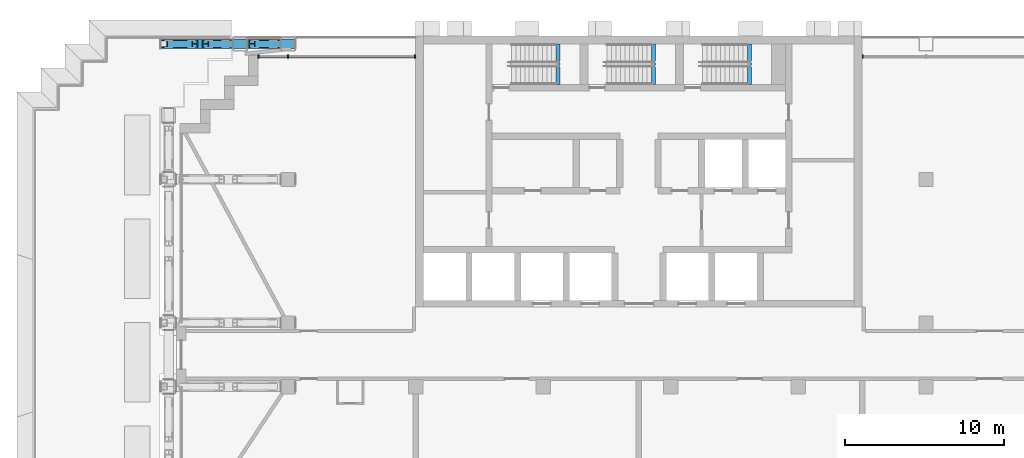
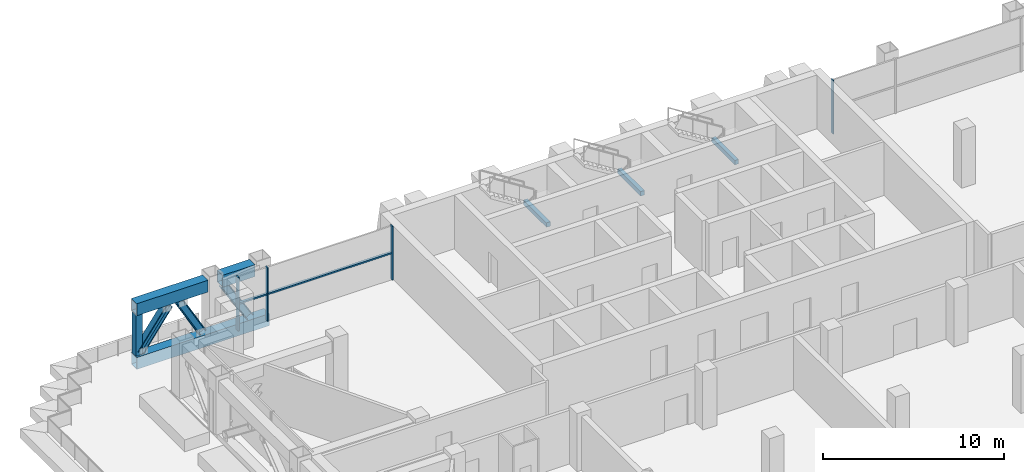
# One storey, part 4 of 19: 13 members, 3 beams, 2 elements without a shape of their own.
"""IFC4 building model written with IfcOpenShell, lengths in metres."""

from ifc_helpers import new_model, si_unit, direction, frame, origin, origin_2d, place, context, subcontext, project, spatial, rectangle, hollow_rectangle, i_section, extrude, material, material_profile, profile_set, type_object, element, aggregate, save


model = new_model("IFC4")

# Units and contexts
model_context = context("Model", 3, precision=1e-05, world=origin(), true_north=direction((0.0, 1.0)))
body_context = subcontext(model_context, "Body", "Model", "MODEL_VIEW")
ifc_project = project(units=[si_unit("LENGTHUNIT", "METRE"), si_unit("AREAUNIT", "SQUARE_METRE"), si_unit("VOLUMEUNIT", "CUBIC_METRE"), si_unit("PLANEANGLEUNIT", "RADIAN"), si_unit("MASSUNIT", "GRAM", prefix="KILO")], contexts=[model_context])

# Site, building, storey
site_placement = place(None, origin())
site = spatial("IfcSite", under=ifc_project, at=site_placement, CompositionType="ELEMENT")
building_placement = place(site_placement, origin())
building = spatial("IfcBuilding", under=site, at=building_placement, Name="Vidyagriha Tower", CompositionType="ELEMENT")
storey_placement = place(building_placement, frame((0.0, 0.0, 73.60009765625)))
storey = spatial("IfcBuildingStorey", under=building, at=storey_placement, Name="L18", CompositionType="ELEMENT", Elevation=73.60009765625)

# Curtain wall, member
ifc_material_1 = material(Name="Aluminium and glass curtain wall", Category="aluminium")
curtain_wall_type = type_object("IfcCurtainWallType", Name="Plant louvre wall", PredefinedType="USERDEFINED", material=ifc_material_1)
curtain_wall_1_placement = place(storey_placement, origin())
curtain_wall_1 = element("IfcCurtainWall", 1, at=curtain_wall_1_placement, inside=storey, type_object=curtain_wall_type, Name="CW7 plant louvre wall", ObjectType="STICK GLAZING", PredefinedType="USERDEFINED")
ifc_material_2 = material(Name="Aluminium black anodised", Category="aluminium")
ifc_material_profile_1 = material_profile(ifc_material_2, rectangle(XDim=0.219970703125, YDim=0.080078125, at=origin_2d()), Name="Mullion 80x220 black aluminium")
ifc_profile_set_1 = profile_set([ifc_material_profile_1], Name="Aluminium black anodised")
member_type_1 = type_object("IfcMemberType", Name="Mullion 80x220 black aluminium", PredefinedType="MULLION", material=ifc_profile_set_1)
member_1_placement = place(storey_placement, frame((14.0400390625, 18.699951171875, 0.0), z_axis=(0.0, 0.0, 1.0), x_axis=(0.0, -1.0, 0.0)))
member_1 = element("IfcMember", 2, at=member_1_placement, type_object=member_type_1, Name="CW7 mullion 5", PredefinedType="MULLION", context=body_context, shape_type="SweptSolid", body=[
    extrude(rectangle(XDim=0.219970703125, YDim=0.080078125, at=origin_2d()), origin(), (0.0, 0.0, 1.0), 3.619873046875),
])
aggregate(curtain_wall_1, [member_1])

# Curtain wall, members
curtain_wall_2_placement = place(storey_placement, origin())
curtain_wall_2 = element("IfcCurtainWall", 3, at=curtain_wall_2_placement, inside=storey, type_object=curtain_wall_type, Name="CW7 plant louvre wall", ObjectType="STICK GLAZING", PredefinedType="USERDEFINED")
member_2_placement = place(storey_placement, frame((-14.0400390625, 18.699951171875, 0.0), z_axis=(0.0, 0.0, 1.0), x_axis=(0.0, -1.0, 0.0)))
member_2 = element("IfcMember", 4, at=member_2_placement, type_object=member_type_1, Name="CW7 mullion 1", PredefinedType="MULLION", context=body_context, shape_type="SweptSolid", body=[
    extrude(rectangle(XDim=0.219970703125, YDim=0.080078125, at=origin_2d()), origin(), (0.0, 0.0, 1.0), 3.619873046875),
])
member_3_placement = place(storey_placement, frame((-22.0, 18.699951171875, 0.0), z_axis=(0.0, 0.0, 1.0), x_axis=(0.0, -1.0, 0.0)))
member_3 = element("IfcMember", 5, at=member_3_placement, type_object=member_type_1, Name="CW7 mullion 2", PredefinedType="MULLION", context=body_context, shape_type="SweptSolid", body=[
    extrude(rectangle(XDim=0.219970703125, YDim=0.080078125, at=origin_2d()), origin(), (0.0, 0.0, 1.0), 3.619873046875),
])
member_4_placement = place(storey_placement, frame((-23.860107421875, 18.699951171875, 0.0), z_axis=(0.0, 0.0, 1.0), x_axis=(0.0, -1.0, 0.0)))
member_4 = element("IfcMember", 6, at=member_4_placement, type_object=member_type_1, Name="CW7 mullion 3", PredefinedType="MULLION", context=body_context, shape_type="SweptSolid", body=[
    extrude(rectangle(XDim=0.219970703125, YDim=0.080078125, at=origin_2d()), origin(), (0.0, 0.0, 1.0), 3.619873046875),
])

# Beams
ifc_material_3 = material(Name="Concrete C40/50", Category="concrete")
ifc_material_profile_2 = material_profile(ifc_material_3, rectangle(XDim=0.25, YDim=0.300048828125, at=origin_2d()), Name="Stair landing bearing beam 250x300")
ifc_profile_set_2 = profile_set([ifc_material_profile_2], Name="Concrete C40/50")
beam_type = type_object("IfcBeamType", Name="Stair landing bearing beam 250x300", PredefinedType="BEAM", material=ifc_profile_set_2)
for number, where, z_axis, x_axis, name in (
    (7, (-5.074951171875, 16.949951171875, 1.599853515625), (0.0, 1.0, 0.0), (-1.0, 0.0, 0.0), "ST1 landing bearing beam L18"),
    (8, (0.925048828125, 16.949951171875, 1.599853515625), (0.0, 1.0, 0.0), (-1.0, 0.0, 0.0), "ST2 landing bearing beam L18"),
    (9, (6.925048828125, 16.949951171875, 1.599853515625), (0.0, 1.0, 0.0), (-1.0, 0.0, 0.0), "ST3 landing bearing beam L18"),
):
    element("IfcBeam", number, at=place(storey_placement, frame(where, z_axis=z_axis, x_axis=x_axis)), inside=storey, type_object=beam_type, Name=name, PredefinedType="BEAM", context=body_context, shape_type="SweptSolid", body=[
        extrude(rectangle(XDim=0.25, YDim=0.300048828125, at=origin_2d()), origin(), (0.0, 0.0, 1.0), 2.550048828125),
    ])

# Members
ifc_material_4 = material(Name="Steel ASTM A572 Grade 50", Category="steel")
ifc_material_profile_3 = material_profile(ifc_material_4, hollow_rectangle(XDim=0.60009765625, YDim=0.800048828125, WallThickness=0.034912109375, at=origin_2d()), Name="BOX 800x600x35")
ifc_profile_set_3 = profile_set([ifc_material_profile_3], Name="Steel ASTM A572 Grade 50")
member_type_2 = type_object("IfcMemberType", Name="Transfer truss chord BOX 800x600x35", PredefinedType="CHORD", material=ifc_profile_set_3)
member_5_placement = place(storey_placement, frame((-30.0, 19.5, -0.400146484375), z_axis=(1.0, 0.0, 0.0), x_axis=(0.0, 1.0, 0.0)))
element("IfcMember", 10, at=member_5_placement, inside=storey, type_object=member_type_2, Name="st-truss-L18-T06-B00", PredefinedType="CHORD", context=body_context, shape_type="SweptSolid", body=[
    extrude(hollow_rectangle(XDim=0.60009765625, YDim=0.800048828125, WallThickness=0.034912109375, at=origin_2d()), origin(), (0.0, 0.0, 1.0), 8.449951171875),
])
member_6_placement = place(storey_placement, frame((-30.0, 19.5, 3.219970703125), z_axis=(1.0, 0.0, 0.0), x_axis=(0.0, 1.0, 0.0)))
element("IfcMember", 11, at=member_6_placement, inside=storey, type_object=member_type_2, Name="st-truss-L18-T06-T00", PredefinedType="CHORD", context=body_context, shape_type="SweptSolid", body=[
    extrude(hollow_rectangle(XDim=0.60009765625, YDim=0.800048828125, WallThickness=0.034912109375, at=origin_2d()), origin(), (0.0, 0.0, 1.0), 4.530517578125),
])
member_7_placement = place(storey_placement, frame((-24.530517578125, 19.5, 3.219970703125), z_axis=(1.0, 0.0, 0.0), x_axis=(0.0, 1.0, 0.0)))
element("IfcMember", 12, at=member_7_placement, inside=storey, type_object=member_type_2, Name="st-truss-L18-T06-T01", PredefinedType="CHORD", context=body_context, shape_type="SweptSolid", body=[
    extrude(hollow_rectangle(XDim=0.60009765625, YDim=0.800048828125, WallThickness=0.034912109375, at=origin_2d()), origin(), (0.0, 0.0, 1.0), 2.06103515625),
])
ifc_material_5 = material(Name="Steel ASTM A913 Grade 65", Category="steel")
ifc_material_profile_4 = material_profile(ifc_material_5, i_section(OverallWidth=0.421630859375, OverallDepth=0.46484375, WebThickness=0.030029296875, FlangeThickness=0.052978515625, at=origin_2d()), Name="W14X398")
ifc_profile_set_4 = profile_set([ifc_material_profile_4], Name="Steel ASTM A913 Grade 65")
member_type_3 = type_object("IfcMemberType", Name="Transfer truss diagonal W14X398", PredefinedType="BRACE", material=ifc_profile_set_4)
member_8_placement = place(storey_placement, frame((-29.70068359375, 19.5, 0.136474609375), z_axis=(0.587973433261, 0.0, 0.808880239454), x_axis=(0.0, 1.0, 0.0)))
element("IfcMember", 13, at=member_8_placement, inside=storey, type_object=member_type_3, Name="st-truss-L18-T06-D000", PredefinedType="BRACE", context=body_context, shape_type="SweptSolid", body=[
    extrude(i_section(OverallWidth=0.421630859375, OverallDepth=0.46484375, WebThickness=0.030029296875, FlangeThickness=0.052978515625, at=origin_2d()), origin(), (0.0, 0.0, 1.0), 3.148681640625),
])
member_9_placement = place(storey_placement, frame((-27.184814453125, 19.5, 2.705322265625), z_axis=(0.493417853227, 0.0, -0.869792401735), x_axis=(0.0, 1.0, 0.0)))
element("IfcMember", 14, at=member_9_placement, inside=storey, type_object=member_type_3, Name="st-truss-L18-T06-D001", PredefinedType="BRACE", context=body_context, shape_type="SweptSolid", body=[
    extrude(i_section(OverallWidth=0.421630859375, OverallDepth=0.46484375, WebThickness=0.030029296875, FlangeThickness=0.052978515625, at=origin_2d()), origin(), (0.0, 0.0, 1.0), 2.978759765625),
])
member_10_placement = place(storey_placement, frame((-24.277587890625, 19.5, 2.699951171875), z_axis=(0.516234706047, 0.0, -0.856447154396), x_axis=(0.0, 1.0, 0.0)))
element("IfcMember", 15, at=member_10_placement, inside=storey, type_object=member_type_3, Name="st-truss-L18-T06-D010", PredefinedType="BRACE", context=body_context, shape_type="SweptSolid", body=[
    extrude(i_section(OverallWidth=0.421630859375, OverallDepth=0.46484375, WebThickness=0.030029296875, FlangeThickness=0.052978515625, at=origin_2d()), origin(), (0.0, 0.0, 1.0), 3.012451171875),
])
ifc_material_6 = material(Name="Steel ASTM A500 Grade C", Category="steel")
ifc_material_profile_5 = material_profile(ifc_material_6, hollow_rectangle(XDim=0.406494140625, YDim=0.406494140625, WallThickness=0.017822265625, at=origin_2d()), Name="HSS16X16X3/4")
ifc_profile_set_5 = profile_set([ifc_material_profile_5], Name="Steel ASTM A500 Grade C")
member_type_4 = type_object("IfcMemberType", Name="Transfer truss post HSS16X16X3/4", PredefinedType="POST", material=ifc_profile_set_5)
member_11_placement = place(storey_placement, frame((-29.796875, 19.5, 0.019287109375)))
element("IfcMember", 16, at=member_11_placement, inside=storey, type_object=member_type_4, Name="st-truss-L18-T06-P00", PredefinedType="POST", context=body_context, shape_type="SweptSolid", body=[
    extrude(hollow_rectangle(XDim=0.406494140625, YDim=0.406494140625, WallThickness=0.017822265625, at=origin_2d()), origin(), (0.0, 0.0, 1.0), 2.781005859375),
])

# Member
ifc_material_7 = material(Name="Aluminium black anodised", Category="aluminium")
ifc_material_profile_6 = material_profile(ifc_material_7, rectangle(XDim=0.159912109375, YDim=0.10009765625, at=origin_2d()), Name="Transom 100x160 black aluminium")
ifc_profile_set_6 = profile_set([ifc_material_profile_6], Name="Aluminium black anodised")
member_type_5 = type_object("IfcMemberType", Name="Transom 100x160 black aluminium", PredefinedType="USERDEFINED", material=ifc_profile_set_6)
member_12_placement = place(storey_placement, frame((-14.080078125, 18.699951171875, 1.809814453125), z_axis=(-1.0, 0.0, 0.0), x_axis=(0.0, -1.0, 0.0)))
member_12 = element("IfcMember", 17, at=member_12_placement, type_object=member_type_5, Name="CW7 transom 1.1", ObjectType="TRANSOM", PredefinedType="USERDEFINED", context=body_context, shape_type="SweptSolid", body=[
    extrude(rectangle(XDim=0.159912109375, YDim=0.10009765625, at=origin_2d()), origin(), (0.0, 0.0, 1.0), 7.8798828125),
])

member_13_placement = place(storey_placement, frame((-22.0400390625, 18.699951171875, 1.809814453125), z_axis=(-1.0, 0.0, 0.0), x_axis=(0.0, -1.0, 0.0)))
member_13 = element("IfcMember", 18, at=member_13_placement, type_object=member_type_5, Name="CW7 transom 2.1", ObjectType="TRANSOM", PredefinedType="USERDEFINED", context=body_context, shape_type="SweptSolid", body=[
    extrude(rectangle(XDim=0.159912109375, YDim=0.10009765625, at=origin_2d()), origin(), (0.0, 0.0, 1.0), 1.780029296875),
])

aggregate(curtain_wall_2, [member_2, member_3, member_4, member_12, member_13])

save(model, "model.ifc")
